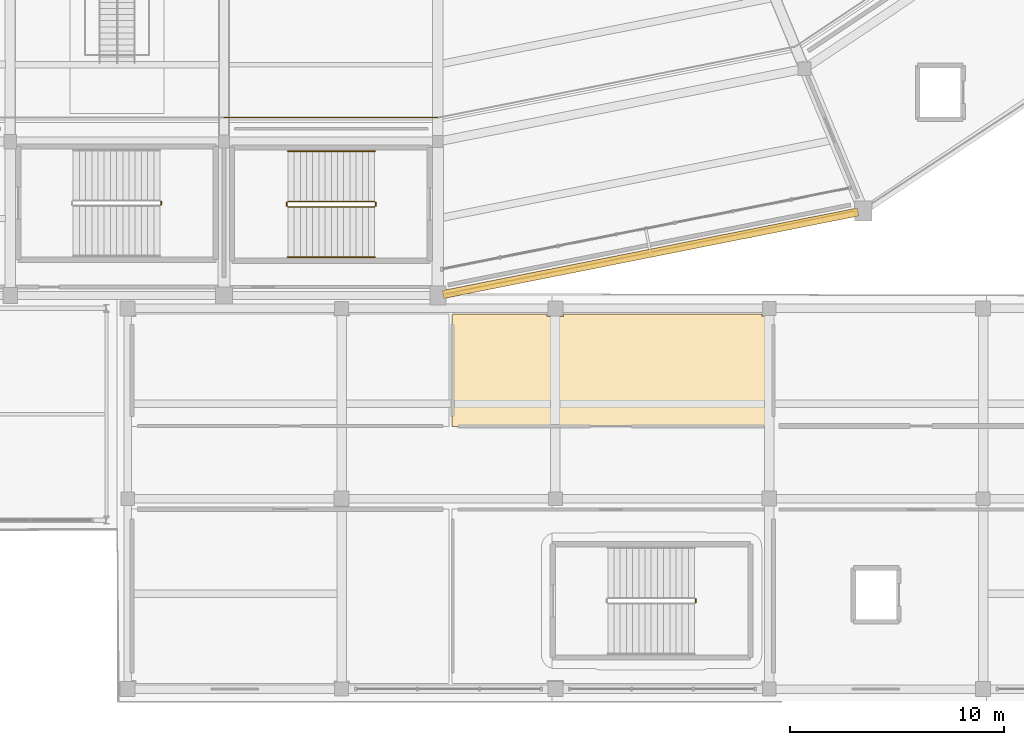
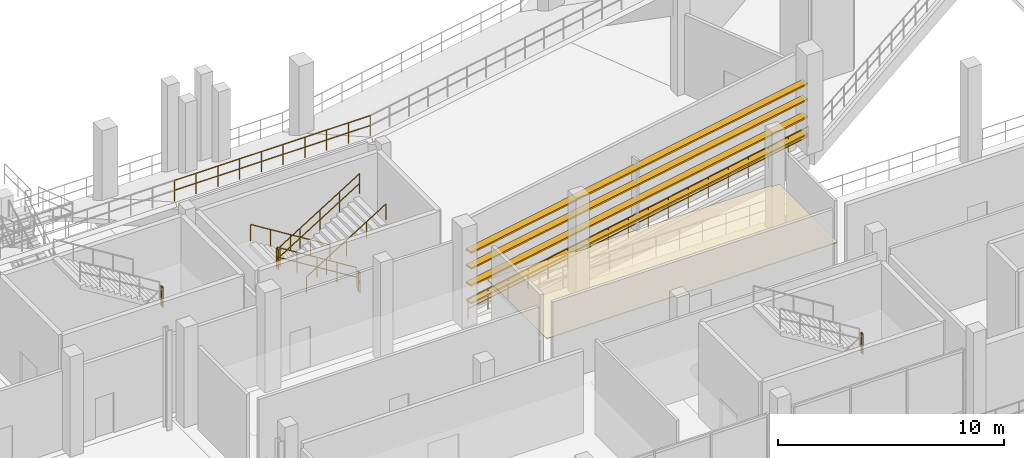
# One storey, part 111 of 127: 10 railings, 4 shading devices, 1 covering.
"""IFC4 building model written with IfcOpenShell, lengths in metres."""

from ifc_helpers import new_model, si_unit, direction, frame, origin, origin_2d, place, context, subcontext, project, spatial, polyline, rectangle, circle, outline, extrude, material, layer, layer_set, type_object, element, save


model = new_model("IFC4")

# Units and contexts
model_context = context("Model", 3, precision=1e-05, world=origin(), true_north=direction((0.0, 1.0)))
body_context = subcontext(model_context, "Body", "Model", "MODEL_VIEW")
ifc_project = project(units=[si_unit("LENGTHUNIT", "METRE"), si_unit("AREAUNIT", "SQUARE_METRE"), si_unit("VOLUMEUNIT", "CUBIC_METRE"), si_unit("PLANEANGLEUNIT", "RADIAN"), si_unit("MASSUNIT", "GRAM", prefix="KILO")], contexts=[model_context])

# Site, building, storey
site_placement = place(None, origin())
site = spatial("IfcSite", under=ifc_project, at=site_placement, CompositionType="ELEMENT")
building_placement = place(site_placement, origin())
building = spatial("IfcBuilding", under=site, at=building_placement, Name="Candeia Ridge Stadium", CompositionType="ELEMENT")
storey_placement = place(building_placement, frame((0.0, 0.0, 10.800048828125)))
storey = spatial("IfcBuildingStorey", under=building, at=storey_placement, Name="L02", CompositionType="ELEMENT", Elevation=10.800048828125)

# Covering
ifc_material_1 = material(Name="Western Red Cedar Acoustic Slat", Category="wood")
ifc_layer_1 = layer(ifc_material_1, 0.044921875, Name="Western Red Cedar Acoustic Slat", Category="wood")
ifc_layer_set_1 = layer_set([ifc_layer_1], Name="Western Red Cedar Acoustic Slat")
covering_type = type_object("IfcCoveringType", Name="Slatted Cedar Acoustic Ceiling 45", PredefinedType="CEILING", material=ifc_layer_set_1)
covering_placement = place(storey_placement, frame((0.0, 0.0, 2.510009765625)))
element("IfcCovering", 1, at=covering_placement, inside=storey, type_object=covering_type, Name="Acoustic ceiling Corporate Hospitality Suite S02 North Hall", PredefinedType="CEILING", context=body_context, shape_type="SweptSolid", body=[
    extrude(outline(polyline([(141.694091796875, 12.87060546875), (141.69140625, 12.871337890625), (141.6884765625, 12.872314453125), (141.685791015625, 12.87353515625), (141.683349609375, 12.875), (141.680908203125, 12.876708984375), (141.6787109375, 12.87890625), (141.6767578125, 12.881103515625), (141.675048828125, 12.88330078125), (141.673583984375, 12.885986328125), (141.67236328125, 12.888427734375), (141.67138671875, 12.891357421875), (141.670654296875, 12.89404296875), (141.670166015625, 12.897216796875), (141.669921875, 12.89990234375), (141.669921875, 18.10009765625), (141.670166015625, 18.102783203125), (141.670654296875, 18.10595703125), (141.67138671875, 18.108642578125), (141.67236328125, 18.111572265625), (141.673583984375, 18.114013671875), (141.675048828125, 18.11669921875), (141.6767578125, 18.118896484375), (141.6787109375, 18.12109375), (141.680908203125, 18.123291015625), (141.683349609375, 18.125), (141.685791015625, 18.12646484375), (141.6884765625, 18.127685546875), (141.69140625, 18.128662109375), (141.694091796875, 18.12939453125), (141.697021484375, 18.1298828125), (141.699951171875, 18.1298828125), (146.110107421875, 18.1298828125), (146.110107421875, 18.010009765625), (146.889892578125, 18.010009765625), (146.889892578125, 18.1298828125), (156.135009765625, 18.1298828125), (156.135009765625, 18.034912109375), (156.530029296875, 18.034912109375), (156.530029296875, 12.89990234375), (156.52978515625, 12.897216796875), (156.529296875, 12.89404296875), (156.52880859375, 12.891357421875), (156.527587890625, 12.888427734375), (156.526611328125, 12.885986328125), (156.52490234375, 12.88330078125), (156.523193359375, 12.881103515625), (156.521240234375, 12.87890625), (156.51904296875, 12.876708984375), (156.5166015625, 12.875), (156.51416015625, 12.87353515625), (156.511474609375, 12.872314453125), (156.5087890625, 12.871337890625), (156.505859375, 12.87060546875), (156.5029296875, 12.8701171875), (156.5, 12.8701171875), (141.699951171875, 12.8701171875), (141.697021484375, 12.8701171875), (141.694091796875, 12.87060546875)])), origin(), (0.0, 0.0, 1.0), 0.0400390625),
])

# Railings
ifc_material_2 = material(Name="Galvanized Powder-Coated Steel", Category="steel")
ifc_layer_2 = layer(ifc_material_2, 0.074951171875, Name="Galvanized Powder-Coated Steel", Category="steel")
ifc_layer_set_2 = layer_set([ifc_layer_2], Name="Galvanized Powder-Coated Steel")
railing_type_1 = type_object("IfcRailingType", Name="Spectator Bowl Front Guardrail 1120", PredefinedType="GUARDRAIL", material=ifc_layer_set_2)
railing_1_placement = place(storey_placement, frame((131.0, 27.320068359375, 4.949951171875)))
element("IfcRailing", 2, at=railing_1_placement, inside=storey, type_object=railing_type_1, Name="Stand T2 rear safety guardrail bay 25", PredefinedType="GUARDRAIL", context=body_context, shape_type="SweptSolid", body=[
    extrude(circle(Radius=0.02392578125, at=origin_2d()), frame((0.0, 0.0, 1.09619140625), z_axis=(1.0, 0.0, 0.0), x_axis=(0.0, 1.0, 0.0)), (0.0, 0.0, 1.0), 10.0),
    extrude(circle(Radius=0.02392578125, at=origin_2d()), frame((0.0, 0.0, 0.56005859375), z_axis=(1.0, 0.0, 0.0), x_axis=(0.0, 1.0, 0.0)), (0.0, 0.0, 1.0), 10.0),
    extrude(circle(Radius=0.02099609375, at=origin_2d()), origin(), (0.0, 0.0, 1.0), 1.072021484375),
    extrude(circle(Radius=0.02099609375, at=origin_2d()), frame((1.111083984375, 0.0, 0.0)), (0.0, 0.0, 1.0), 1.072021484375),
    extrude(circle(Radius=0.02099609375, at=origin_2d()), frame((2.22216796875, 0.0, 0.0)), (0.0, 0.0, 1.0), 1.072021484375),
    extrude(circle(Radius=0.02099609375, at=origin_2d()), frame((3.333251953125, 0.0, 0.0)), (0.0, 0.0, 1.0), 1.072021484375),
    extrude(circle(Radius=0.02099609375, at=origin_2d()), frame((4.4443359375, 0.0, 0.0)), (0.0, 0.0, 1.0), 1.072021484375),
    extrude(circle(Radius=0.02099609375, at=origin_2d()), frame((5.5556640625, 0.0, 0.0)), (0.0, 0.0, 1.0), 1.072021484375),
    extrude(circle(Radius=0.02099609375, at=origin_2d()), frame((6.666748046875, 0.0, 0.0)), (0.0, 0.0, 1.0), 1.072021484375),
    extrude(circle(Radius=0.02099609375, at=origin_2d()), frame((7.77783203125, 0.0, 0.0)), (0.0, 0.0, 1.0), 1.072021484375),
    extrude(circle(Radius=0.02099609375, at=origin_2d()), frame((8.888916015625, 0.0, 0.0)), (0.0, 0.0, 1.0), 1.072021484375),
    extrude(circle(Radius=0.02099609375, at=origin_2d()), frame((10.0, 0.0, 0.0)), (0.0, 0.0, 1.0), 1.072021484375),
])
railing_2_placement = place(storey_placement, frame((160.8837890625, 23.036865234375, 0.0)))
element("IfcRailing", 3, at=railing_2_placement, inside=storey, type_object=railing_type_1, Name="Deck edge safety guardrail GR-DE-L02-0120", PredefinedType="GUARDRAIL", context=body_context, shape_type="SweptSolid", body=[
    extrude(circle(Radius=0.02392578125, at=origin_2d()), frame((0.0, 0.0, 1.09619140625), z_axis=(-0.980074126306, -0.198632089417, 0.0), x_axis=(0.198632089417, -0.980074126306, 0.0)), (0.0, 0.0, 1.0), 20.055419921875),
    extrude(circle(Radius=0.02392578125, at=origin_2d()), frame((0.0, 0.0, 0.56005859375), z_axis=(-0.980074126306, -0.198632089417, 0.0), x_axis=(0.198632089417, -0.980074126306, 0.0)), (0.0, 0.0, 1.0), 20.055419921875),
    extrude(circle(Radius=0.02099609375, at=origin_2d()), origin(), (0.0, 0.0, 1.0), 1.072021484375),
    extrude(circle(Radius=0.02099609375, at=origin_2d()), frame((-1.15625, -0.234375, 0.0)), (0.0, 0.0, 1.0), 1.072021484375),
    extrude(circle(Radius=0.02099609375, at=origin_2d()), frame((-2.3125, -0.46875, 0.0)), (0.0, 0.0, 1.0), 1.072021484375),
    extrude(circle(Radius=0.02099609375, at=origin_2d()), frame((-3.46875, -0.702880859375, 0.0)), (0.0, 0.0, 1.0), 1.072021484375),
    extrude(circle(Radius=0.02099609375, at=origin_2d()), frame((-4.625, -0.937255859375, 0.0)), (0.0, 0.0, 1.0), 1.072021484375),
    extrude(circle(Radius=0.02099609375, at=origin_2d()), frame((-5.781005859375, -1.171630859375, 0.0)), (0.0, 0.0, 1.0), 1.072021484375),
    extrude(circle(Radius=0.02099609375, at=origin_2d()), frame((-6.937255859375, -1.406005859375, 0.0)), (0.0, 0.0, 1.0), 1.072021484375),
    extrude(circle(Radius=0.02099609375, at=origin_2d()), frame((-8.093505859375, -1.640380859375, 0.0)), (0.0, 0.0, 1.0), 1.072021484375),
    extrude(circle(Radius=0.02099609375, at=origin_2d()), frame((-9.249755859375, -1.874755859375, 0.0)), (0.0, 0.0, 1.0), 1.072021484375),
    extrude(circle(Radius=0.02099609375, at=origin_2d()), frame((-10.406005859375, -2.10888671875, 0.0)), (0.0, 0.0, 1.0), 1.072021484375),
    extrude(circle(Radius=0.02099609375, at=origin_2d()), frame((-11.562255859375, -2.34326171875, 0.0)), (0.0, 0.0, 1.0), 1.072021484375),
    extrude(circle(Radius=0.02099609375, at=origin_2d()), frame((-12.718505859375, -2.57763671875, 0.0)), (0.0, 0.0, 1.0), 1.072021484375),
    extrude(circle(Radius=0.02099609375, at=origin_2d()), frame((-13.874755859375, -2.81201171875, 0.0)), (0.0, 0.0, 1.0), 1.072021484375),
    extrude(circle(Radius=0.02099609375, at=origin_2d()), frame((-15.03076171875, -3.04638671875, 0.0)), (0.0, 0.0, 1.0), 1.072021484375),
    extrude(circle(Radius=0.02099609375, at=origin_2d()), frame((-16.18701171875, -3.28076171875, 0.0)), (0.0, 0.0, 1.0), 1.072021484375),
    extrude(circle(Radius=0.02099609375, at=origin_2d()), frame((-17.34326171875, -3.514892578125, 0.0)), (0.0, 0.0, 1.0), 1.072021484375),
    extrude(circle(Radius=0.02099609375, at=origin_2d()), frame((-18.49951171875, -3.749267578125, 0.0)), (0.0, 0.0, 1.0), 1.072021484375),
    extrude(circle(Radius=0.02099609375, at=origin_2d()), frame((-19.65576171875, -3.983642578125, 0.0)), (0.0, 0.0, 1.0), 1.072021484375),
])
ifc_material_3 = material(Name="Brushed Stainless Steel", Category="steel")
ifc_layer_3 = layer(ifc_material_3, 0.048095703125, Name="Brushed Stainless Steel", Category="steel")
ifc_layer_set_3 = layer_set([ifc_layer_3], Name="Brushed Stainless Steel")
railing_type_2 = type_object("IfcRailingType", Name="Stair Wall & Flight Handrail 900", PredefinedType="HANDRAIL", material=ifc_layer_set_3)
railing_3_placement = place(storey_placement, frame((138.050048828125, 25.75, 0.179931640625)))
element("IfcRailing", 4, at=railing_3_placement, inside=storey, type_object=railing_type_2, Name="L02 ST03 stair handrail 1", PredefinedType="HANDRAIL", context=body_context, shape_type="SweptSolid", body=[
    extrude(circle(Radius=0.02392578125, at=origin_2d()), frame((0.0, 0.0, 0.8759765625), z_axis=(-0.849641744969, 0.0, 0.527360318194), x_axis=(0.0, -1.0, 0.0)), (0.0, 0.0, 1.0), 4.778564453125),
    extrude(circle(Radius=0.02099609375, at=origin_2d()), origin(), (0.0, 0.0, 1.0), 0.851806640625),
    extrude(circle(Radius=0.02099609375, at=origin_2d()), frame((-1.01513671875, 0.0, 0.6298828125)), (0.0, 0.0, 1.0), 0.851806640625),
    extrude(circle(Radius=0.02099609375, at=origin_2d()), frame((-2.030029296875, 0.0, 1.260009765625)), (0.0, 0.0, 1.0), 0.851806640625),
    extrude(circle(Radius=0.02099609375, at=origin_2d()), frame((-3.044921875, 0.0, 1.89013671875)), (0.0, 0.0, 1.0), 0.851806640625),
    extrude(circle(Radius=0.02099609375, at=origin_2d()), frame((-4.06005859375, 0.0, 2.52001953125)), (0.0, 0.0, 1.0), 0.851806640625),
])
railing_4_placement = place(storey_placement, frame((133.989990234375, 20.800048828125, 2.8798828125)))
element("IfcRailing", 5, at=railing_4_placement, inside=storey, type_object=railing_type_2, Name="L02 ST03 stair handrail 2", PredefinedType="HANDRAIL", context=body_context, shape_type="SweptSolid", body=[
    extrude(circle(Radius=0.02392578125, at=origin_2d()), frame((0.0, 0.0, 0.8759765625), z_axis=(0.849641744969, 0.0, 0.527360318194), x_axis=(0.0, 1.0, 0.0)), (0.0, 0.0, 1.0), 4.778564453125),
    extrude(circle(Radius=0.02099609375, at=origin_2d()), origin(), (0.0, 0.0, 1.0), 0.851806640625),
    extrude(circle(Radius=0.02099609375, at=origin_2d()), frame((1.01513671875, 0.0, 0.6298828125)), (0.0, 0.0, 1.0), 0.851806640625),
    extrude(circle(Radius=0.02099609375, at=origin_2d()), frame((2.030029296875, 0.0, 1.260009765625)), (0.0, 0.0, 1.0), 0.851806640625),
    extrude(circle(Radius=0.02099609375, at=origin_2d()), frame((3.044921875, 0.0, 1.89013671875)), (0.0, 0.0, 1.0), 0.851806640625),
    extrude(circle(Radius=0.02099609375, at=origin_2d()), frame((4.06005859375, 0.0, 2.52001953125)), (0.0, 0.0, 1.0), 0.851806640625),
])
ifc_layer_4 = layer(ifc_material_2, 0.06005859375, Name="Galvanized Powder-Coated Steel", Category="steel")
ifc_layer_set_4 = layer_set([ifc_layer_4], Name="Galvanized Powder-Coated Steel")
railing_type_3 = type_object("IfcRailingType", Name="Stair Well Guardrail 1100", PredefinedType="GUARDRAIL", material=ifc_layer_set_4)
railing_5_placement = place(storey_placement, frame((138.050048828125, 23.39990234375, 0.179931640625)))
element("IfcRailing", 6, at=railing_5_placement, inside=storey, type_object=railing_type_3, Name="L02 ST03 stair guard 1", PredefinedType="GUARDRAIL", context=body_context, shape_type="SweptSolid", body=[
    extrude(circle(Radius=0.02392578125, at=origin_2d()), frame((0.0, 0.0, 1.076171875), z_axis=(-0.849641744969, 0.0, 0.527360318194), x_axis=(0.0, -1.0, 0.0)), (0.0, 0.0, 1.0), 4.778564453125),
    extrude(circle(Radius=0.02392578125, at=origin_2d()), frame((0.0, 0.0, 0.550048828125), z_axis=(-0.849641744969, 0.0, 0.527360318194), x_axis=(0.0, -1.0, 0.0)), (0.0, 0.0, 1.0), 4.778564453125),
    extrude(circle(Radius=0.02099609375, at=origin_2d()), origin(), (0.0, 0.0, 1.0), 1.052001953125),
    extrude(circle(Radius=0.02099609375, at=origin_2d()), frame((-1.01513671875, 0.0, 0.6298828125)), (0.0, 0.0, 1.0), 1.052001953125),
    extrude(circle(Radius=0.02099609375, at=origin_2d()), frame((-2.030029296875, 0.0, 1.260009765625)), (0.0, 0.0, 1.0), 1.052001953125),
    extrude(circle(Radius=0.02099609375, at=origin_2d()), frame((-3.044921875, 0.0, 1.89013671875)), (0.0, 0.0, 1.0), 1.052001953125),
    extrude(circle(Radius=0.02099609375, at=origin_2d()), frame((-4.06005859375, 0.0, 2.52001953125)), (0.0, 0.0, 1.0), 1.052001953125),
])
railing_6_placement = place(storey_placement, frame((133.93994140625, 23.35009765625, 2.699951171875)))
element("IfcRailing", 7, at=railing_6_placement, inside=storey, type_object=railing_type_3, Name="L02 ST03 stair guard 2", PredefinedType="GUARDRAIL", context=body_context, shape_type="SweptSolid", body=[
    extrude(circle(Radius=0.02392578125, at=origin_2d()), frame((0.0, 0.0, 1.076171875), z_axis=(0.0, -1.0, 0.0), x_axis=(1.0, 0.0, 0.0)), (0.0, 0.0, 1.0), 0.150146484375),
    extrude(circle(Radius=0.02392578125, at=origin_2d()), frame((0.0, 0.0, 0.550048828125), z_axis=(0.0, -1.0, 0.0), x_axis=(1.0, 0.0, 0.0)), (0.0, 0.0, 1.0), 0.150146484375),
    extrude(circle(Radius=0.02099609375, at=origin_2d()), origin(), (0.0, 0.0, 1.0), 1.052001953125),
    extrude(circle(Radius=0.02099609375, at=origin_2d()), frame((0.0, -0.150146484375, 0.0)), (0.0, 0.0, 1.0), 1.052001953125),
])
railing_7_placement = place(storey_placement, frame((133.989990234375, 23.14990234375, 2.8798828125)))
element("IfcRailing", 8, at=railing_7_placement, inside=storey, type_object=railing_type_3, Name="L02 ST03 stair guard 3", PredefinedType="GUARDRAIL", context=body_context, shape_type="SweptSolid", body=[
    extrude(circle(Radius=0.02392578125, at=origin_2d()), frame((0.0, 0.0, 1.076171875), z_axis=(0.849641744969, 0.0, 0.527360318194), x_axis=(0.0, 1.0, 0.0)), (0.0, 0.0, 1.0), 4.778564453125),
    extrude(circle(Radius=0.02392578125, at=origin_2d()), frame((0.0, 0.0, 0.550048828125), z_axis=(0.849641744969, 0.0, 0.527360318194), x_axis=(0.0, 1.0, 0.0)), (0.0, 0.0, 1.0), 4.778564453125),
    extrude(circle(Radius=0.02099609375, at=origin_2d()), origin(), (0.0, 0.0, 1.0), 1.052001953125),
    extrude(circle(Radius=0.02099609375, at=origin_2d()), frame((1.01513671875, 0.0, 0.6298828125)), (0.0, 0.0, 1.0), 1.052001953125),
    extrude(circle(Radius=0.02099609375, at=origin_2d()), frame((2.030029296875, 0.0, 1.260009765625)), (0.0, 0.0, 1.0), 1.052001953125),
    extrude(circle(Radius=0.02099609375, at=origin_2d()), frame((3.044921875, 0.0, 1.89013671875)), (0.0, 0.0, 1.0), 1.052001953125),
    extrude(circle(Radius=0.02099609375, at=origin_2d()), frame((4.06005859375, 0.0, 2.52001953125)), (0.0, 0.0, 1.0), 1.052001953125),
])
railing_8_placement = place(storey_placement, frame((138.10009765625, 23.35009765625, 0.0)))
element("IfcRailing", 9, at=railing_8_placement, inside=storey, type_object=railing_type_3, Name="L02 ST03 stair guard 4", PredefinedType="GUARDRAIL", context=body_context, shape_type="SweptSolid", body=[
    extrude(circle(Radius=0.02392578125, at=origin_2d()), frame((0.0, 0.0, 1.076171875), z_axis=(0.0, -1.0, 0.0), x_axis=(1.0, 0.0, 0.0)), (0.0, 0.0, 1.0), 0.150146484375),
    extrude(circle(Radius=0.02392578125, at=origin_2d()), frame((0.0, 0.0, 0.550048828125), z_axis=(0.0, -1.0, 0.0), x_axis=(1.0, 0.0, 0.0)), (0.0, 0.0, 1.0), 0.150146484375),
    extrude(circle(Radius=0.02099609375, at=origin_2d()), origin(), (0.0, 0.0, 1.0), 1.052001953125),
    extrude(circle(Radius=0.02099609375, at=origin_2d()), frame((0.0, -0.150146484375, 0.0)), (0.0, 0.0, 1.0), 1.052001953125),
])
railing_9_placement = place(storey_placement, frame((128.06005859375, 23.25, 2.699951171875)))
element("IfcRailing", 10, at=railing_9_placement, inside=storey, type_object=railing_type_3, Name="L02 ST12 stair guard 2", PredefinedType="GUARDRAIL", context=body_context, shape_type="SweptSolid", body=[
    extrude(circle(Radius=0.02392578125, at=origin_2d()), frame((0.0, 0.0, 1.076171875), z_axis=(0.0, 1.0, 0.0), x_axis=(-1.0, 0.0, 0.0)), (0.0, 0.0, 1.0), 0.14990234375),
    extrude(circle(Radius=0.02392578125, at=origin_2d()), frame((0.0, 0.0, 0.550048828125), z_axis=(0.0, 1.0, 0.0), x_axis=(-1.0, 0.0, 0.0)), (0.0, 0.0, 1.0), 0.14990234375),
    extrude(circle(Radius=0.02099609375, at=origin_2d()), origin(), (0.0, 0.0, 1.0), 1.052001953125),
    extrude(circle(Radius=0.02099609375, at=origin_2d()), frame((0.0, 0.14990234375, 0.0)), (0.0, 0.0, 1.0), 1.052001953125),
])
railing_10_placement = place(storey_placement, frame((153.06005859375, 4.64990234375, 2.699951171875)))
element("IfcRailing", 11, at=railing_10_placement, inside=storey, type_object=railing_type_3, Name="L02 ST14 stair guard 2", PredefinedType="GUARDRAIL", context=body_context, shape_type="SweptSolid", body=[
    extrude(circle(Radius=0.02392578125, at=origin_2d()), frame((0.0, 0.0, 1.076171875), z_axis=(0.0, 1.0, 0.0), x_axis=(-1.0, 0.0, 0.0)), (0.0, 0.0, 1.0), 0.150146484375),
    extrude(circle(Radius=0.02392578125, at=origin_2d()), frame((0.0, 0.0, 0.550048828125), z_axis=(0.0, 1.0, 0.0), x_axis=(-1.0, 0.0, 0.0)), (0.0, 0.0, 1.0), 0.150146484375),
    extrude(circle(Radius=0.02099609375, at=origin_2d()), origin(), (0.0, 0.0, 1.0), 1.052001953125),
    extrude(circle(Radius=0.02099609375, at=origin_2d()), frame((0.0, 0.150146484375, 0.0)), (0.0, 0.0, 1.0), 1.052001953125),
])

# Shading devices
ifc_material_4 = material(Name="Aluminium Anodized Warm Bronze", Category="aluminium")
shading_device_type = type_object("IfcShadingDeviceType", Name="Weathered Bronze Horizontal Solar Rib 380x85", PredefinedType="JALOUSIE", material=ifc_material_4)
for number, where, z_axis, x_axis, name in (
    (12, (150.94970703125, 20.979248046875, 0.8935546875), (0.0, 0.0, 1.0), (0.980785282416, 0.195090311899, 0.0), "Weathered bronze horizontal solar rib L02 bay 26-1"),
    (13, (150.94970703125, 20.979248046875, 1.82958984375), (0.0, 0.0, 1.0), (0.980785282416, 0.195090311899, 0.0), "Weathered bronze horizontal solar rib L02 bay 26-2"),
    (14, (150.94970703125, 20.979248046875, 2.765869140625), (0.0, 0.0, 1.0), (0.980785282416, 0.195090311899, 0.0), "Weathered bronze horizontal solar rib L02 bay 26-3"),
    (15, (150.94970703125, 20.979248046875, 3.61669921875), (0.0, 0.0, 1.0), (0.980785282416, 0.195090311899, 0.0), "Weathered bronze horizontal solar rib L02 bay 26-4"),
):
    element("IfcShadingDevice", number, at=place(storey_placement, frame(where, z_axis=z_axis, x_axis=x_axis)), inside=storey, type_object=shading_device_type, Name=name, PredefinedType="JALOUSIE", context=body_context, shape_type="SweptSolid", body=[
        extrude(rectangle(XDim=19.789306640625, YDim=0.3798828125, at=origin_2d()), origin(), (0.0, 0.0, 1.0), 0.0849609375),
    ])

save(model, "model.ifc")
